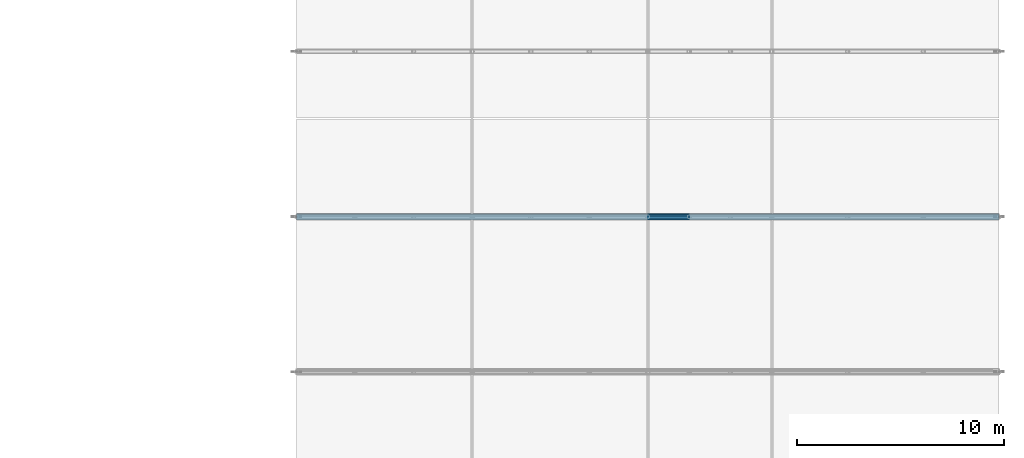
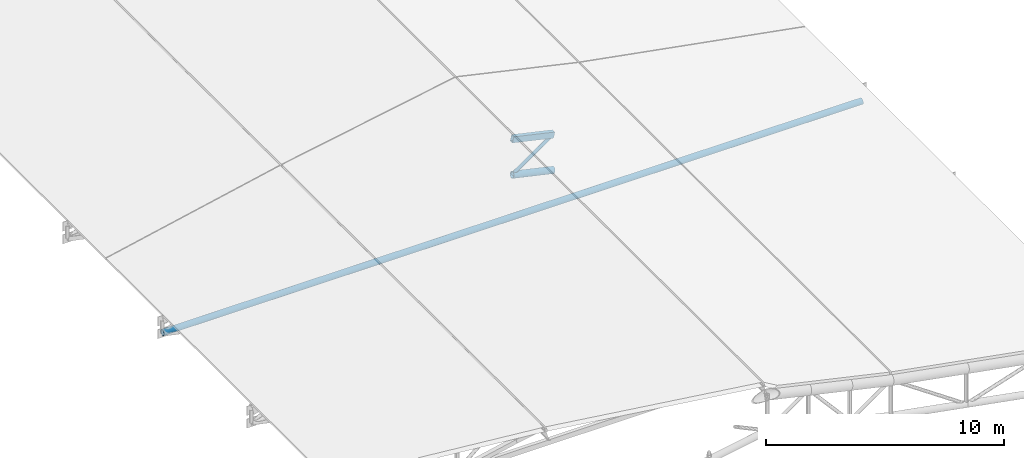
# One storey, part 9 of 28: 3 members, 1 beam.
"""IFC4 building model written with IfcOpenShell, lengths in metres."""

from ifc_helpers import new_model, si_unit, direction, frame, origin, origin_2d, place, context, subcontext, project, spatial, hollow_rectangle, hollow_circle, extrude, material, material_profile, profile_set, type_object, element, save


model = new_model("IFC4")

# Units and contexts
model_context = context("Model", 3, precision=1e-05, world=origin(), true_north=direction((0.0, 1.0)))
body_context = subcontext(model_context, "Body", "Model", "MODEL_VIEW")
ifc_project = project(units=[si_unit("LENGTHUNIT", "METRE"), si_unit("AREAUNIT", "SQUARE_METRE"), si_unit("VOLUMEUNIT", "CUBIC_METRE"), si_unit("PLANEANGLEUNIT", "RADIAN"), si_unit("MASSUNIT", "GRAM", prefix="KILO"), si_unit("THERMODYNAMICTEMPERATUREUNIT", "KELVIN"), si_unit("POWERUNIT", "WATT")], contexts=[model_context])

# Site, building, storey
site_placement = place(None, origin())
site = spatial("IfcSite", under=ifc_project, at=site_placement, CompositionType="ELEMENT")
building_placement = place(site_placement, origin())
building = spatial("IfcBuilding", under=site, at=building_placement, Name="Tepalcoro Natatorium and Aquatics Centre", CompositionType="ELEMENT")
storey_placement = place(building_placement, frame((0.0, 0.0, 23.199951171875)))
storey = spatial("IfcBuildingStorey", under=building, at=storey_placement, Name="RF", CompositionType="ELEMENT", Elevation=23.199951171875)

# Beam
ifc_material = material(Name="Terracotta Painted Hollow Steel ASTM A500 Grade C (Fy 345 MPa)", Category="masonry")
ifc_material_profile_1 = material_profile(ifc_material, hollow_rectangle(XDim=0.199951171875, YDim=0.300048828125, WallThickness=0.013916015625, at=origin_2d()), Name="HSS300X200X14")
ifc_profile_set_1 = profile_set([ifc_material_profile_1], Name="Terracotta Painted Hollow Steel ASTM A500 Grade C (Fy 345 MPa)")
beam_type = type_object("IfcBeamType", Name="AC_HSS300x200x14", PredefinedType="USERDEFINED", material=ifc_profile_set_1)
beam_placement = place(storey_placement, frame((159.0, 28.0, -0.2529296875), z_axis=(0.97561485681, 0.0, -0.21948952406), x_axis=(0.0, 1.0, 0.0)))
element("IfcBeam", 1, at=beam_placement, inside=storey, type_object=beam_type, Name="V2 Barrel-Arch Top Chord 4", ObjectType="ARCH CHORD", PredefinedType="USERDEFINED", context=body_context, shape_type="SweptSolid", body=[
    extrude(hollow_rectangle(XDim=0.199951171875, YDim=0.300048828125, WallThickness=0.013916015625, at=origin_2d()), origin(), (0.0, 0.0, 1.0), 2.050048828125),
])

# Members
ifc_material_profile_2 = material_profile(ifc_material, hollow_circle(Radius=0.14892578125, WallThickness=0.01611328125, at=origin_2d()), Name="CHS298X16")
ifc_profile_set_2 = profile_set([ifc_material_profile_2], Name="Terracotta Painted Hollow Steel ASTM A500 Grade C (Fy 345 MPa)")
member_type_1 = type_object("IfcMemberType", Name="MB_AT_CHS298x16", PredefinedType="USERDEFINED", material=ifc_profile_set_2)
member_1_placement = place(storey_placement, frame((142.0, 28.0, -4.262939453125), z_axis=(1.0, 0.0, 0.0), x_axis=(0.0, 1.0, 0.0)))
element("IfcMember", 2, at=member_1_placement, inside=storey, type_object=member_type_1, Name="V2 Barrel-Arch Tie 4", ObjectType="ARCH TIE", PredefinedType="USERDEFINED", context=body_context, shape_type="SweptSolid", body=[
    extrude(hollow_circle(Radius=0.14892578125, WallThickness=0.01611328125, at=origin_2d()), origin(), (0.0, 0.0, 1.0), 34.0),
])
ifc_material_profile_3 = material_profile(ifc_material, hollow_circle(Radius=0.162109375, WallThickness=0.013916015625, at=origin_2d()), Name="CHS324X14")
ifc_profile_set_3 = profile_set([ifc_material_profile_3], Name="Terracotta Painted Hollow Steel ASTM A500 Grade C (Fy 345 MPa)")
member_type_2 = type_object("IfcMemberType", Name="MB_CH_CHS324x14", PredefinedType="CHORD", material=ifc_profile_set_3)
member_2_placement = place(storey_placement, frame((159.0, 28.0, -2.10302734375), z_axis=(0.97561485681, 0.0, -0.21948952406), x_axis=(0.0, 1.0, 0.0)))
element("IfcMember", 3, at=member_2_placement, inside=storey, type_object=member_type_2, Name="V2 Barrel-Arch Bottom Chord 4", PredefinedType="CHORD", context=body_context, shape_type="SweptSolid", body=[
    extrude(hollow_circle(Radius=0.162109375, WallThickness=0.013916015625, at=origin_2d()), origin(), (0.0, 0.0, 1.0), 2.050048828125),
])
ifc_material_profile_4 = material_profile(ifc_material, hollow_circle(Radius=0.083984375, WallThickness=0.011962890625, at=origin_2d()), Name="CHS168X12")
ifc_profile_set_4 = profile_set([ifc_material_profile_4], Name="Terracotta Painted Hollow Steel ASTM A500 Grade C (Fy 345 MPa)")
member_type_3 = type_object("IfcMemberType", Name="MB_ST_CHS168x12", PredefinedType="STRUT", material=ifc_profile_set_4)
member_3_placement = place(storey_placement, frame((159.0, 28.0, -2.10302734375), z_axis=(0.819203731481, 0.0, 0.57350261231), x_axis=(0.0, 1.0, 0.0)))
element("IfcMember", 4, at=member_3_placement, inside=storey, type_object=member_type_3, Name="V2 Barrel-Arch Web Diagonal 4", PredefinedType="STRUT", context=body_context, shape_type="SweptSolid", body=[
    extrude(hollow_circle(Radius=0.083984375, WallThickness=0.011962890625, at=origin_2d()), origin(), (0.0, 0.0, 1.0), 2.44140625),
])

save(model, "model.ifc")
